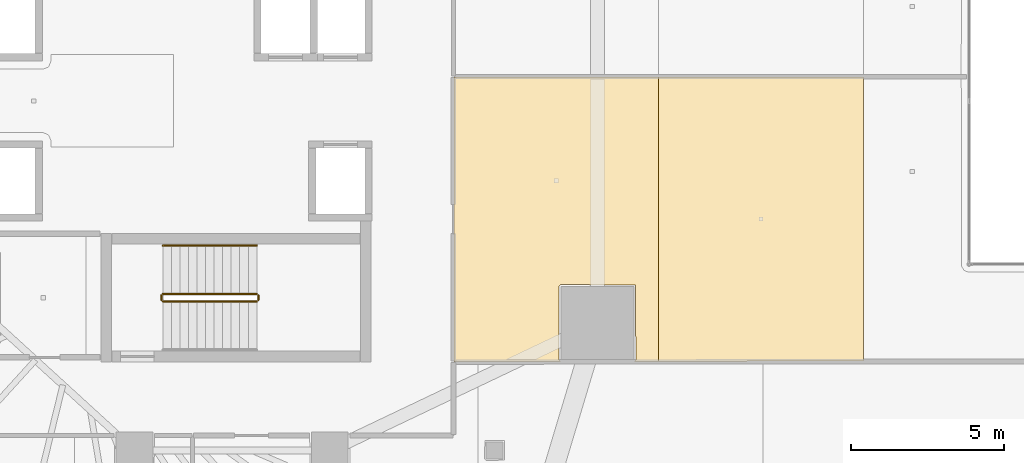
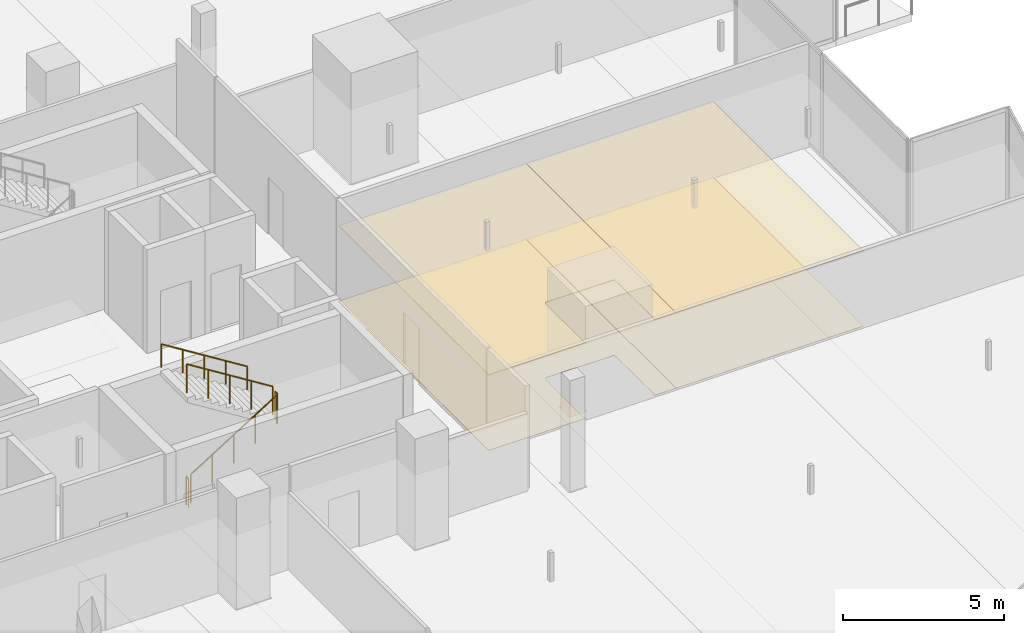
# One storey, part 39 of 44: 5 railings, 4 coverings.
"""IFC4 building model written with IfcOpenShell, lengths in metres."""

import ifcopenshell
import ifcopenshell.guid

model = None  # the IFC model being written
_history = None  # IfcOwnerHistory: only IFC2X3 demands one
_inside = {}  # id of a spatial element -> (the spatial element, [elements in it])
_under = {}  # id of a project, library or spatial element -> (it, [spatial elements below it])
_declared = {}  # id of a project -> (the project, [libraries it declares])
_typed = {}  # id of a type object -> (the type object, [elements of that type])
_made_of = {}  # id of a material, layer set ... -> (it, [elements and type objects made of it])


def new_model(schema):
    """Start an empty IFC model of exactly this schema.

    Asked for "IFC4X3", IfcOpenShell would pick the latest addendum, in which some entities
    have other attributes; the version numbers below select the first issue.
    IFC2X3 requires an IfcOwnerHistory on every rooted entity: one is made here for all.
    """
    global model, _history
    if schema == "IFC4X3":
        model = ifcopenshell.file(schema_version=(4, 3, 0, 0))
    else:
        model = ifcopenshell.file(schema=schema)
    _inside.clear()
    _under.clear()
    _declared.clear()
    _typed.clear()
    _made_of.clear()
    _history = None
    if model.schema == "IFC2X3":
        org = make("IfcOrganization", Name="unknown")
        user = make(
            "IfcPersonAndOrganization",
            ThePerson=make("IfcPerson", FamilyName="unknown"),
            TheOrganization=org,
        )
        app = make(
            "IfcApplication",
            ApplicationDeveloper=org,
            Version="unknown",
            ApplicationFullName="unknown",
            ApplicationIdentifier="unknown",
        )
        _history = make(
            "IfcOwnerHistory",
            OwningUser=user,
            OwningApplication=app,
            ChangeAction="ADDED",
            CreationDate=0,
        )
    return model


def make(cls, **values):
    """One entity of the class cls with the attributes given. An attribute that is None is left unset."""
    return model.create_entity(
        cls, **{name: value for name, value in values.items() if value is not None}
    )


def rooted(cls, **values):
    """An entity with a GlobalId (a new one), such as an element, a storey or a relation."""
    return make(cls, GlobalId=ifcopenshell.guid.new(), OwnerHistory=_history, **values)


def si_unit(unit_type, name, prefix=None):
    """IfcSIUnit, for example si_unit("LENGTHUNIT", "METRE", prefix="MILLI")."""
    return make("IfcSIUnit", UnitType=unit_type, Prefix=prefix, Name=name)


def assignment(units):
    """IfcUnitAssignment: the units of a project."""
    return None if units is None else make("IfcUnitAssignment", Units=units)


def point(xyz):
    """IfcCartesianPoint."""
    return None if xyz is None else make("IfcCartesianPoint", Coordinates=xyz)


def direction(xyz):
    """IfcDirection."""
    return None if xyz is None else make("IfcDirection", DirectionRatios=xyz)


def frame(location, z_axis=None, x_axis=None):
    """IfcAxis2Placement3D, a coordinate frame: its origin and axes. An axis left out is left unset."""
    return make(
        "IfcAxis2Placement3D",
        Location=point(location),
        Axis=direction(z_axis),
        RefDirection=direction(x_axis),
    )


def frame_2d(location, x_axis=None):
    """IfcAxis2Placement2D, a coordinate frame in the plane: its origin and x axis."""
    return make(
        "IfcAxis2Placement2D", Location=point(location), RefDirection=direction(x_axis)
    )


def origin():
    """The frame at (0, 0, 0) with its axes left unset."""
    return frame((0.0, 0.0, 0.0))


def origin_2d():
    """The frame at (0, 0) in the plane with its x axis left unset."""
    return frame_2d((0.0, 0.0))


def place(relative_to, where):
    """IfcLocalPlacement: puts the frame where relative to a parent placement (None: the world)."""
    return make(
        "IfcLocalPlacement", PlacementRelTo=relative_to, RelativePlacement=where
    )


def context(
    kind, dimensions, precision=None, world=None, true_north=None, identifier=None
):
    """IfcGeometricRepresentationContext, for example the 3D "Model" context."""
    return make(
        "IfcGeometricRepresentationContext",
        ContextIdentifier=identifier,
        ContextType=kind,
        CoordinateSpaceDimension=dimensions,
        Precision=precision,
        WorldCoordinateSystem=world,
        TrueNorth=true_north,
    )


def subcontext(parent, identifier, kind, view, scale=None):
    """IfcGeometricRepresentationSubContext, for example "Body" below "Model"."""
    return make(
        "IfcGeometricRepresentationSubContext",
        ContextIdentifier=identifier,
        ContextType=kind,
        ParentContext=parent,
        TargetScale=scale,
        TargetView=view,
    )


def project(units=None, contexts=None):
    """IfcProject with its units and contexts."""
    return rooted(
        "IfcProject",
        Name="project",
        RepresentationContexts=contexts,
        UnitsInContext=assignment(units),
    )


def spatial(cls, under=None, at=None, **own):
    """A site, building, storey or space (cls), placed at a placement, below another one or the project."""
    s = rooted(cls, ObjectPlacement=at, **own)
    if under is not None:
        _under.setdefault(under.id(), (under, []))[1].append(s)
    return s


def polyline(points):
    """IfcPolyline through the points."""
    return make("IfcPolyline", Points=[point(p) for p in points])


def profile(cls, at=None, kind="AREA", **sizes):
    """A parametric profile (cls). Its sizes go by their IFC names, for example OverallWidth=200.0."""
    return make(cls, ProfileType=kind, Position=at, **sizes)


def circle(**sizes):
    """IfcCircleProfileDef."""
    return profile("IfcCircleProfileDef", **sizes)


def outline(outer, holes=None, kind="AREA"):
    """IfcArbitraryClosedProfileDef: a profile drawn as a closed curve; with holes, ...WithVoids."""
    if holes is None:
        return make("IfcArbitraryClosedProfileDef", ProfileType=kind, OuterCurve=outer)
    return make(
        "IfcArbitraryProfileDefWithVoids",
        ProfileType=kind,
        OuterCurve=outer,
        InnerCurves=holes,
    )


def extrude(swept, where, along, depth):
    """IfcExtrudedAreaSolid: the profile swept, set in the frame where, extruded along a direction by depth."""
    return make(
        "IfcExtrudedAreaSolid",
        SweptArea=swept,
        Position=where,
        ExtrudedDirection=direction(along),
        Depth=depth,
    )


def shape(context_of_items, identifier, shape_type, items):
    """IfcShapeRepresentation: the items that make up one representation, for example the "Body"."""
    return make(
        "IfcShapeRepresentation",
        ContextOfItems=context_of_items,
        RepresentationIdentifier=identifier,
        RepresentationType=shape_type,
        Items=items,
    )


def material(Name=None, Category=None):
    """IfcMaterial."""
    return make("IfcMaterial", Name=Name, Category=Category)


def layer(
    of_material, thickness, ventilated=None, Name=None, Category=None, Priority=None
):
    """IfcMaterialLayer: one layer of a wall or slab, of a material (None: an air gap)."""
    return make(
        "IfcMaterialLayer",
        Material=of_material,
        LayerThickness=thickness,
        IsVentilated=ventilated,
        Name=Name,
        Category=Category,
        Priority=Priority,
    )


def layer_set(layers, Name=None):
    """IfcMaterialLayerSet."""
    return make("IfcMaterialLayerSet", MaterialLayers=layers, LayerSetName=Name)


def made_of(thing, what):
    """Note that an element or type object is made of a material, layer set ...; save() writes the relation."""
    if what is not None:
        _made_of.setdefault(what.id(), (what, []))[1].append(thing)
    return thing


def type_object(cls, material=None, **own):
    """A type object (cls), such as IfcWallType, which elements share."""
    return made_of(rooted(cls, **own), material)


def element(
    cls,
    number,
    at=None,
    inside=None,
    cuts=None,
    type_object=None,
    material=None,
    context=None,
    identifier="Body",
    shape_type=None,
    held_by="IfcProductDefinitionShape",
    body=None,
    shapes=None,
    **own,
):
    """One element of the class cls, such as IfcWall. Its Tag is "e" and its number.

    at: its placement. inside: the storey or other place that contains it. cuts: it is an
    opening in that element (IfcRelVoidsElement). A single representation is given by context,
    identifier, shape_type and body (its items); several are given by shapes. held_by: the class
    of the entity that holds the representations. save() writes the other relations.
    """
    e = rooted(cls, Tag="e%d" % number, ObjectPlacement=at, **own)
    if body is not None:
        shapes = [shape(context, identifier, shape_type, body)]
    if shapes is not None:
        e.Representation = make(held_by, Representations=shapes)
    if inside is not None:
        _inside.setdefault(inside.id(), (inside, []))[1].append(e)
    if cuts is not None:
        rooted(
            "IfcRelVoidsElement", RelatingBuildingElement=cuts, RelatedOpeningElement=e
        )
    if type_object is not None:
        _typed.setdefault(type_object.id(), (type_object, []))[1].append(e)
    return made_of(e, material)


def aggregate(whole, parts):
    """IfcRelAggregates: a whole, such as a stair, and the parts it consists of."""
    return rooted("IfcRelAggregates", RelatingObject=whole, RelatedObjects=parts)


def save(model, path):
    """Write the relations noted so far, then the file.

    IfcRelAggregates (storeys below a building ...), IfcRelContainedInSpatialStructure (elements
    in a storey), IfcRelDefinesByType, IfcRelAssociatesMaterial and IfcRelDeclares: one each for
    every whole, place, type object, material and project.
    """
    for whole, parts in _under.values():
        aggregate(whole, parts)
    for where, things in _inside.values():
        rooted(
            "IfcRelContainedInSpatialStructure",
            RelatedElements=things,
            RelatingStructure=where,
        )
    for kind, things in _typed.values():
        rooted("IfcRelDefinesByType", RelatedObjects=things, RelatingType=kind)
    for what, things in _made_of.values():
        rooted("IfcRelAssociatesMaterial", RelatedObjects=things, RelatingMaterial=what)
    for by, libraries in _declared.values():
        rooted("IfcRelDeclares", RelatingContext=by, RelatedDefinitions=libraries)
    model.write(path)


model = new_model("IFC4")

# Units and contexts
model_context = context("Model", 3, precision=1e-05, world=origin(), true_north=direction((0.0, 1.0)))
body_context = subcontext(model_context, "Body", "Model", "MODEL_VIEW")
ifc_project = project(units=[si_unit("LENGTHUNIT", "METRE"), si_unit("AREAUNIT", "SQUARE_METRE"), si_unit("VOLUMEUNIT", "CUBIC_METRE"), si_unit("PLANEANGLEUNIT", "RADIAN"), si_unit("MASSUNIT", "GRAM", prefix="KILO")], contexts=[model_context])

# Site, building, storey
site_placement = place(None, origin())
site = spatial("IfcSite", under=ifc_project, at=site_placement, CompositionType="ELEMENT")
building_placement = place(site_placement, origin())
building = spatial("IfcBuilding", under=site, at=building_placement, Name="Qorvath Tower", CompositionType="ELEMENT")
storey_placement = place(building_placement, frame((0.0, 0.0, 40.800048828125)))
storey = spatial("IfcBuildingStorey", under=building, at=storey_placement, Name="L08", CompositionType="ELEMENT", Elevation=40.800048828125)

# Coverings
ifc_material_1 = material(Name="Acoustic mineral fibre ceiling tile", Category="gypsum")
ifc_layer_1 = layer(ifc_material_1, 0.030029296875)
ifc_layer_set_1 = layer_set([ifc_layer_1], Name="COV-CEIL")
covering_type_1 = type_object("IfcCoveringType", Name="COV-CEIL", PredefinedType="CEILING", material=ifc_layer_set_1)
covering_1_placement = place(storey_placement, frame((0.0, 0.0, 2.849853515625)))
element("IfcCovering", 1, at=covering_1_placement, inside=storey, type_object=covering_type_1, Name="L08 Suspended Acoustic Ceiling 022", PredefinedType="CEILING", context=body_context, shape_type="SweptSolid", body=[
    extrude(outline(polyline([(-6.4267578125, -8.53173828125), (-6.4267578125, 0.7861328125), (-13.136962890625, 0.7861328125), (-13.136962890625, -8.537109375), (-9.635498046875, -8.5341796875), (-9.690185546875, -8.476318359375), (-9.690185546875, -6.076416015625), (-9.63037109375, -6.016357421875), (-7.18798828125, -6.033935546875), (-7.17041015625, -8.476318359375), (-7.220458984375, -8.5322265625), (-6.4267578125, -8.53173828125)])), origin(), (0.0, 0.0, 1.0), 0.030029296875),
])
covering_2_placement = place(storey_placement, frame((0.0, 0.0, 2.849853515625)))
element("IfcCovering", 2, at=covering_2_placement, inside=storey, type_object=covering_type_1, Name="L08 Suspended Acoustic Ceiling 023", PredefinedType="CEILING", context=body_context, shape_type="SweptSolid", body=[
    extrude(outline(polyline([(0.283447265625, -8.5263671875), (0.283447265625, 0.7861328125), (-6.4267578125, 0.7861328125), (-6.4267578125, -8.53173828125), (0.283447265625, -8.5263671875)])), origin(), (0.0, 0.0, 1.0), 0.030029296875),
])
ifc_material_2 = material(Name="Low-VOC modular carpet tile", Category="textile")
ifc_layer_2 = layer(ifc_material_2, 0.014892578125)
ifc_layer_set_2 = layer_set([ifc_layer_2], Name="COV-FLOOR-CPT")
covering_type_2 = type_object("IfcCoveringType", Name="COV-FLOOR-CPT", PredefinedType="FLOORING", material=ifc_layer_set_2)
covering_3_placement = place(storey_placement, origin())
element("IfcCovering", 3, at=covering_3_placement, inside=storey, type_object=covering_type_2, Name="L08 Floor Finish 022", PredefinedType="FLOORING", context=body_context, shape_type="SweptSolid", body=[
    extrude(outline(polyline([(-6.4267578125, -8.53173828125), (-6.4267578125, 0.7861328125), (-13.136962890625, 0.7861328125), (-13.136962890625, -8.537109375), (-9.635498046875, -8.5341796875), (-9.690185546875, -8.476318359375), (-9.690185546875, -6.076416015625), (-9.63037109375, -6.016357421875), (-7.18798828125, -6.033935546875), (-7.17041015625, -8.476318359375), (-7.220458984375, -8.5322265625), (-6.4267578125, -8.53173828125)])), origin(), (0.0, 0.0, 1.0), 0.014892578125),
])
covering_4_placement = place(storey_placement, origin())
element("IfcCovering", 4, at=covering_4_placement, inside=storey, type_object=covering_type_2, Name="L08 Floor Finish 023", PredefinedType="FLOORING", context=body_context, shape_type="SweptSolid", body=[
    extrude(outline(polyline([(0.283447265625, -8.5263671875), (0.283447265625, 0.7861328125), (-6.4267578125, 0.7861328125), (-6.4267578125, -8.53173828125), (0.283447265625, -8.5263671875)])), origin(), (0.0, 0.0, 1.0), 0.014892578125),
])

# Railings
ifc_material_3 = material(Name="Painted galvanised steel", Category="steel")
railing_type_1 = type_object("IfcRailingType", Name="RL-STR-GRD", PredefinedType="GUARDRAIL", material=ifc_material_3)
railing_1_placement = place(storey_placement, frame((-22.669921875, -6.570068359375, 0.175048828125)))
element("IfcRailing", 5, at=railing_1_placement, inside=storey, type_object=railing_type_1, Name="L08 TS2 stair guard 1", PredefinedType="GUARDRAIL", context=body_context, shape_type="SweptSolid", body=[
    extrude(circle(Radius=0.02392578125, at=origin_2d()), frame((0.0, 0.0, 1.076171875), z_axis=(0.848009633417, 0.0, 0.529980812513), x_axis=(0.0, 1.0, 0.0)), (0.0, 0.0, 1.0), 3.6318359375),
    extrude(circle(Radius=0.02099609375, at=origin_2d()), origin(), (0.0, 0.0, 1.0), 1.052001953125),
    extrude(circle(Radius=0.02099609375, at=origin_2d()), frame((0.77001953125, 0.0, 0.481201171875)), (0.0, 0.0, 1.0), 1.052001953125),
    extrude(circle(Radius=0.02099609375, at=origin_2d()), frame((1.5400390625, 0.0, 0.96240234375)), (0.0, 0.0, 1.0), 1.052001953125),
    extrude(circle(Radius=0.02099609375, at=origin_2d()), frame((2.309814453125, 0.0, 1.443603515625)), (0.0, 0.0, 1.0), 1.052001953125),
    extrude(circle(Radius=0.02099609375, at=origin_2d()), frame((3.079833984375, 0.0, 1.9248046875)), (0.0, 0.0, 1.0), 1.052001953125),
])
railing_2_placement = place(storey_placement, frame((-19.5400390625, -6.52001953125, 2.099853515625)))
element("IfcRailing", 6, at=railing_2_placement, inside=storey, type_object=railing_type_1, Name="L08 TS2 stair guard 2", PredefinedType="GUARDRAIL", context=body_context, shape_type="SweptSolid", body=[
    extrude(circle(Radius=0.02392578125, at=origin_2d()), frame((0.0, 0.0, 1.076171875), z_axis=(0.0, 1.0, 0.0), x_axis=(-1.0, 0.0, 0.0)), (0.0, 0.0, 1.0), 0.14990234375),
    extrude(circle(Radius=0.02099609375, at=origin_2d()), origin(), (0.0, 0.0, 1.0), 1.052001953125),
    extrude(circle(Radius=0.02099609375, at=origin_2d()), frame((0.0, 0.14990234375, 0.0)), (0.0, 0.0, 1.0), 1.052001953125),
])
railing_3_placement = place(storey_placement, frame((-19.590087890625, -6.320068359375, 2.27490234375)))
element("IfcRailing", 7, at=railing_3_placement, inside=storey, type_object=railing_type_1, Name="L08 TS2 stair guard 3", PredefinedType="GUARDRAIL", context=body_context, shape_type="SweptSolid", body=[
    extrude(circle(Radius=0.02392578125, at=origin_2d()), frame((0.0, 0.0, 1.076171875), z_axis=(-0.847979421464, 0.0, 0.530029150871), x_axis=(0.0, -1.0, 0.0)), (0.0, 0.0, 1.0), 3.632080078125),
    extrude(circle(Radius=0.02099609375, at=origin_2d()), origin(), (0.0, 0.0, 1.0), 1.052001953125),
    extrude(circle(Radius=0.02099609375, at=origin_2d()), frame((-0.77001953125, 0.0, 0.481201171875)), (0.0, 0.0, 1.0), 1.052001953125),
    extrude(circle(Radius=0.02099609375, at=origin_2d()), frame((-1.5400390625, 0.0, 0.96240234375)), (0.0, 0.0, 1.0), 1.052001953125),
    extrude(circle(Radius=0.02099609375, at=origin_2d()), frame((-2.309814453125, 0.0, 1.44384765625)), (0.0, 0.0, 1.0), 1.052001953125),
    extrude(circle(Radius=0.02099609375, at=origin_2d()), frame((-3.079833984375, 0.0, 1.925048828125)), (0.0, 0.0, 1.0), 1.052001953125),
])
railing_4_placement = place(storey_placement, frame((-22.719970703125, -6.52001953125, 0.0)))
element("IfcRailing", 8, at=railing_4_placement, inside=storey, type_object=railing_type_1, Name="L08 TS2 stair guard 4", PredefinedType="GUARDRAIL", context=body_context, shape_type="SweptSolid", body=[
    extrude(circle(Radius=0.02392578125, at=origin_2d()), frame((0.0, 0.0, 1.076171875), z_axis=(0.0, 1.0, 0.0), x_axis=(-1.0, 0.0, 0.0)), (0.0, 0.0, 1.0), 0.14990234375),
    extrude(circle(Radius=0.02099609375, at=origin_2d()), origin(), (0.0, 0.0, 1.0), 1.052001953125),
    extrude(circle(Radius=0.02099609375, at=origin_2d()), frame((0.0, 0.14990234375, 0.0)), (0.0, 0.0, 1.0), 1.052001953125),
])
ifc_material_4 = material(Name="Brushed stainless steel AISI 304", Category="steel")
railing_type_2 = type_object("IfcRailingType", Name="RL-STR-HND", PredefinedType="HANDRAIL", material=ifc_material_4)
railing_5_placement = place(storey_placement, frame((-19.590087890625, -4.739990234375, 2.27490234375)))
element("IfcRailing", 9, at=railing_5_placement, inside=storey, type_object=railing_type_2, Name="L08 TS2 stair handrail 2", PredefinedType="HANDRAIL", context=body_context, shape_type="SweptSolid", body=[
    extrude(circle(Radius=0.02392578125, at=origin_2d()), frame((0.0, 0.0, 0.8759765625), z_axis=(-0.847979421464, 0.0, 0.530029150871), x_axis=(0.0, -1.0, 0.0)), (0.0, 0.0, 1.0), 3.632080078125),
    extrude(circle(Radius=0.02099609375, at=origin_2d()), origin(), (0.0, 0.0, 1.0), 0.851806640625),
    extrude(circle(Radius=0.02099609375, at=origin_2d()), frame((-0.77001953125, 0.0, 0.481201171875)), (0.0, 0.0, 1.0), 0.851806640625),
    extrude(circle(Radius=0.02099609375, at=origin_2d()), frame((-1.5400390625, 0.0, 0.96240234375)), (0.0, 0.0, 1.0), 0.851806640625),
    extrude(circle(Radius=0.02099609375, at=origin_2d()), frame((-2.309814453125, 0.0, 1.44384765625)), (0.0, 0.0, 1.0), 0.851806640625),
    extrude(circle(Radius=0.02099609375, at=origin_2d()), frame((-3.079833984375, 0.0, 1.925048828125)), (0.0, 0.0, 1.0), 0.851806640625),
])

save(model, "model.ifc")
